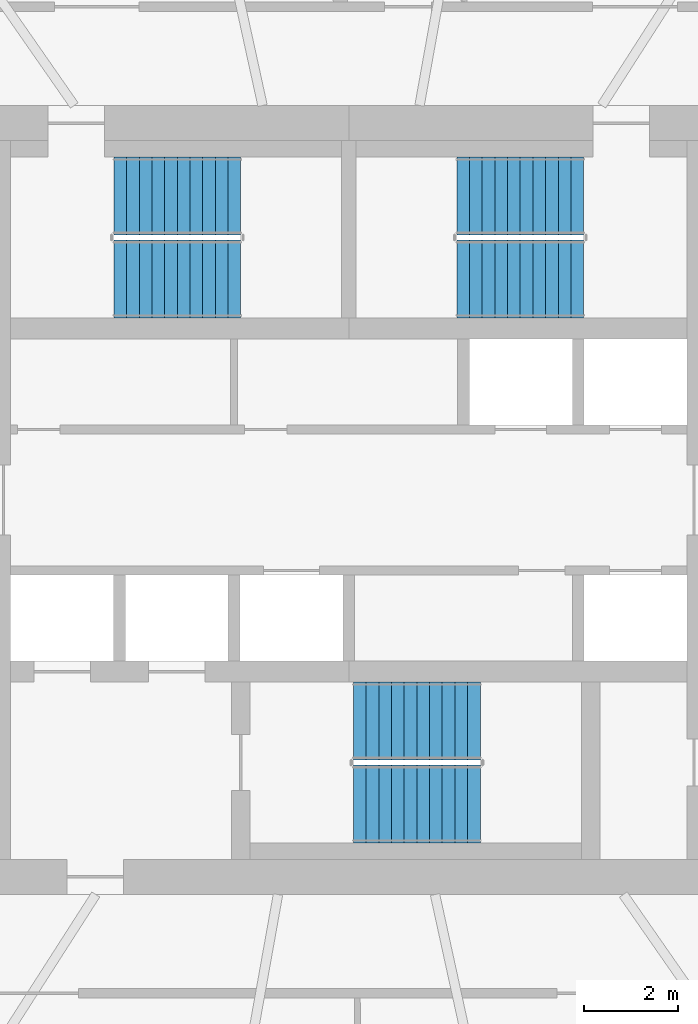
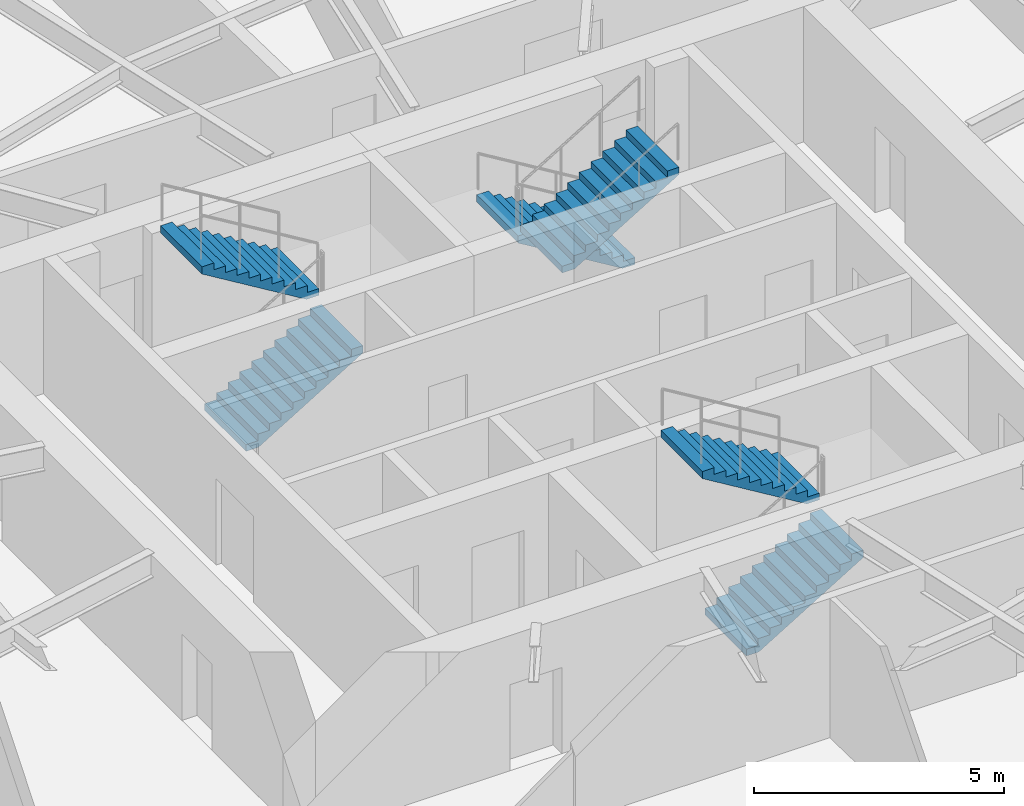
# One storey, part 11 of 14: 6 stair flights, 3 elements without a shape of their own.
"""IFC4 building model written with IfcOpenShell, lengths in metres."""

from ifc_helpers import new_model, si_unit, direction, frame, origin, place, context, subcontext, project, spatial, polyline, outline, extrude, material, type_object, element, aggregate, save


model = new_model("IFC4")

# Units and contexts
model_context = context("Model", 3, precision=1e-05, world=origin(), true_north=direction((0.0, 1.0)))
body_context = subcontext(model_context, "Body", "Model", "MODEL_VIEW")
ifc_project = project(units=[si_unit("LENGTHUNIT", "METRE"), si_unit("AREAUNIT", "SQUARE_METRE"), si_unit("VOLUMEUNIT", "CUBIC_METRE"), si_unit("PLANEANGLEUNIT", "RADIAN"), si_unit("MASSUNIT", "GRAM", prefix="KILO")], contexts=[model_context])

# Site, building, storey
site_placement = place(None, origin())
site = spatial("IfcSite", under=ifc_project, at=site_placement, CompositionType="ELEMENT")
building_placement = place(site_placement, origin())
building = spatial("IfcBuilding", under=site, at=building_placement, Name="Vermilion Reach Broadcast Tower", CompositionType="ELEMENT")
storey_placement = place(building_placement, frame((0.0, 0.0, 238.89990234375)))
storey = spatial("IfcBuildingStorey", under=building, at=storey_placement, Name="L59", CompositionType="ELEMENT", Elevation=238.89990234375)

# Stair, stair flights
ifc_material_1 = material(Name="Concrete C40", Category="concrete")
stair_type = type_object("IfcStairType", Name="Exit stair RC 22 risers 164 mm", PredefinedType="HALF_TURN_STAIR", material=ifc_material_1)
placement = place(storey_placement, origin())
stair_1 = element("IfcStair", 1, at=placement, inside=storey, type_object=stair_type, Name="L59 Exit stair ST1", PredefinedType="HALF_TURN_STAIR")
ifc_material_2 = material(Name="Concrete C40", Category="concrete")
stair_flight_type = type_object("IfcStairFlightType", Name="Exit stair flight RC 11 risers", PredefinedType="STRAIGHT", material=ifc_material_2)
stair_flight_1_placement = place(storey_placement, frame((-11.0, 4.7099609375, 0.0), z_axis=(0.0, 0.0, 1.0), x_axis=(1.0, 0.0, 0.0)))
stair_flight_1 = element("IfcStairFlight", 2, at=stair_flight_1_placement, type_object=stair_flight_type, Name="ST1 flight 1", NumberOfRisers=11, NumberOfTreads=10, PredefinedType="STRAIGHT", RiserHeight=0.163636364, TreadLength=0.27, context=body_context, shape_type="SweptSolid", body=[
    extrude(outline(polyline([(0.0, 0.0), (0.0, 0.16357421875), (0.27001953125, 0.16357421875), (0.27001953125, 0.327392578125), (0.5400390625, 0.327392578125), (0.5400390625, 0.490966796875), (0.81005859375, 0.490966796875), (0.81005859375, 0.654541015625), (1.080078125, 0.654541015625), (1.080078125, 0.818115234375), (1.35009765625, 0.818115234375), (1.35009765625, 0.98193359375), (1.6201171875, 0.98193359375), (1.6201171875, 1.1455078125), (1.889892578125, 1.1455078125), (1.889892578125, 1.30908203125), (2.159912109375, 1.30908203125), (2.159912109375, 1.47265625), (2.429931640625, 1.47265625), (2.429931640625, 1.636474609375), (2.699951171875, 1.636474609375), (2.699951171875, 1.800048828125), (2.699951171875, 1.461181640625), (0.289306640625, 0.0), (0.0, 0.0)])), frame((0.0, 0.830078125, 0.0), z_axis=(0.0, -1.0, 0.0), x_axis=(1.0, 0.0, 0.0)), (0.0, 0.0, 1.0), 1.659912109375),
])
stair_flight_2_placement = place(storey_placement, frame((-8.300048828125, 6.469970703125, 1.800048828125), z_axis=(0.0, 0.0, 1.0), x_axis=(-1.0, 0.0, 0.0)))
stair_flight_2 = element("IfcStairFlight", 3, at=stair_flight_2_placement, type_object=stair_flight_type, Name="ST1 flight 2", NumberOfRisers=11, NumberOfTreads=10, PredefinedType="STRAIGHT", RiserHeight=0.163636364, TreadLength=0.27, context=body_context, shape_type="SweptSolid", body=[
    extrude(outline(polyline([(0.0, 0.0), (0.0, 0.16357421875), (0.27001953125, 0.16357421875), (0.27001953125, 0.327392578125), (0.5400390625, 0.327392578125), (0.5400390625, 0.490966796875), (0.81005859375, 0.490966796875), (0.81005859375, 0.654541015625), (1.080078125, 0.654541015625), (1.080078125, 0.818115234375), (1.35009765625, 0.818115234375), (1.35009765625, 0.98193359375), (1.6201171875, 0.98193359375), (1.6201171875, 1.1455078125), (1.889892578125, 1.1455078125), (1.889892578125, 1.30908203125), (2.159912109375, 1.30908203125), (2.159912109375, 1.47265625), (2.429931640625, 1.47265625), (2.429931640625, 1.636474609375), (2.699951171875, 1.636474609375), (2.699951171875, 1.800048828125), (2.699951171875, 1.461181640625), (0.289306640625, 0.0), (0.0, 0.0)])), frame((0.0, 0.830078125, 0.0), z_axis=(0.0, -1.0, 0.0), x_axis=(1.0, 0.0, 0.0)), (0.0, 0.0, 1.0), 1.659912109375),
])
aggregate(stair_1, [stair_flight_1, stair_flight_2])

stair_2 = element("IfcStair", 4, at=placement, inside=storey, type_object=stair_type, Name="L59 Exit stair ST2", PredefinedType="HALF_TURN_STAIR")
stair_flight_3_placement = place(storey_placement, frame((-1.0, 6.469970703125, 0.0), z_axis=(0.0, 0.0, 1.0), x_axis=(-1.0, 0.0, 0.0)))
stair_flight_3 = element("IfcStairFlight", 5, at=stair_flight_3_placement, type_object=stair_flight_type, Name="ST2 flight 1", NumberOfRisers=11, NumberOfTreads=10, PredefinedType="STRAIGHT", RiserHeight=0.163636364, TreadLength=0.27, context=body_context, shape_type="SweptSolid", body=[
    extrude(outline(polyline([(0.0, 0.0), (0.0, 0.16357421875), (0.27001953125, 0.16357421875), (0.27001953125, 0.327392578125), (0.5400390625, 0.327392578125), (0.5400390625, 0.490966796875), (0.81005859375, 0.490966796875), (0.81005859375, 0.654541015625), (1.080078125, 0.654541015625), (1.080078125, 0.818115234375), (1.35009765625, 0.818115234375), (1.35009765625, 0.98193359375), (1.6201171875, 0.98193359375), (1.6201171875, 1.1455078125), (1.889892578125, 1.1455078125), (1.889892578125, 1.30908203125), (2.159912109375, 1.30908203125), (2.159912109375, 1.47265625), (2.429931640625, 1.47265625), (2.429931640625, 1.636474609375), (2.699951171875, 1.636474609375), (2.699951171875, 1.800048828125), (2.699951171875, 1.461181640625), (0.289306640625, 0.0), (0.0, 0.0)])), frame((0.0, 0.830078125, 0.0), z_axis=(0.0, -1.0, 0.0), x_axis=(1.0, 0.0, 0.0)), (0.0, 0.0, 1.0), 1.659912109375),
])
stair_flight_4_placement = place(storey_placement, frame((-3.699951171875, 4.7099609375, 1.800048828125), z_axis=(0.0, 0.0, 1.0), x_axis=(1.0, 0.0, 0.0)))
stair_flight_4 = element("IfcStairFlight", 6, at=stair_flight_4_placement, type_object=stair_flight_type, Name="ST2 flight 2", NumberOfRisers=11, NumberOfTreads=10, PredefinedType="STRAIGHT", RiserHeight=0.163636364, TreadLength=0.27, context=body_context, shape_type="SweptSolid", body=[
    extrude(outline(polyline([(0.0, 0.0), (0.0, 0.16357421875), (0.27001953125, 0.16357421875), (0.27001953125, 0.327392578125), (0.5400390625, 0.327392578125), (0.5400390625, 0.490966796875), (0.81005859375, 0.490966796875), (0.81005859375, 0.654541015625), (1.080078125, 0.654541015625), (1.080078125, 0.818115234375), (1.35009765625, 0.818115234375), (1.35009765625, 0.98193359375), (1.6201171875, 0.98193359375), (1.6201171875, 1.1455078125), (1.889892578125, 1.1455078125), (1.889892578125, 1.30908203125), (2.159912109375, 1.30908203125), (2.159912109375, 1.47265625), (2.429931640625, 1.47265625), (2.429931640625, 1.636474609375), (2.699951171875, 1.636474609375), (2.699951171875, 1.800048828125), (2.699951171875, 1.461181640625), (0.289306640625, 0.0), (0.0, 0.0)])), frame((0.0, 0.830078125, 0.0), z_axis=(0.0, -1.0, 0.0), x_axis=(1.0, 0.0, 0.0)), (0.0, 0.0, 1.0), 1.659912109375),
])
aggregate(stair_2, [stair_flight_3, stair_flight_4])

stair_3 = element("IfcStair", 7, at=placement, inside=storey, type_object=stair_type, Name="L59 Exit stair ST3", PredefinedType="HALF_TURN_STAIR")
stair_flight_5_placement = place(storey_placement, frame((-5.89990234375, -6.469970703125, 0.0), z_axis=(0.0, 0.0, 1.0), x_axis=(1.0, 0.0, 0.0)))
stair_flight_5 = element("IfcStairFlight", 8, at=stair_flight_5_placement, type_object=stair_flight_type, Name="ST3 flight 1", NumberOfRisers=11, NumberOfTreads=10, PredefinedType="STRAIGHT", RiserHeight=0.163636364, TreadLength=0.27, context=body_context, shape_type="SweptSolid", body=[
    extrude(outline(polyline([(0.0, 0.0), (0.0, 0.16357421875), (0.27001953125, 0.16357421875), (0.27001953125, 0.327392578125), (0.5400390625, 0.327392578125), (0.5400390625, 0.490966796875), (0.81005859375, 0.490966796875), (0.81005859375, 0.654541015625), (1.080078125, 0.654541015625), (1.080078125, 0.818115234375), (1.35009765625, 0.818115234375), (1.35009765625, 0.98193359375), (1.6201171875, 0.98193359375), (1.6201171875, 1.1455078125), (1.889892578125, 1.1455078125), (1.889892578125, 1.30908203125), (2.159912109375, 1.30908203125), (2.159912109375, 1.47265625), (2.429931640625, 1.47265625), (2.429931640625, 1.636474609375), (2.699951171875, 1.636474609375), (2.699951171875, 1.800048828125), (2.699951171875, 1.461181640625), (0.289306640625, 0.0), (0.0, 0.0)])), frame((0.0, 0.830078125, 0.0), z_axis=(0.0, -1.0, 0.0), x_axis=(1.0, 0.0, 0.0)), (0.0, 0.0, 1.0), 1.659912109375),
])
stair_flight_6_placement = place(storey_placement, frame((-3.199951171875, -4.7099609375, 1.800048828125), z_axis=(0.0, 0.0, 1.0), x_axis=(-1.0, 0.0, 0.0)))
stair_flight_6 = element("IfcStairFlight", 9, at=stair_flight_6_placement, type_object=stair_flight_type, Name="ST3 flight 2", NumberOfRisers=11, NumberOfTreads=10, PredefinedType="STRAIGHT", RiserHeight=0.163636364, TreadLength=0.27, context=body_context, shape_type="SweptSolid", body=[
    extrude(outline(polyline([(0.0, 0.0), (0.0, 0.16357421875), (0.27001953125, 0.16357421875), (0.27001953125, 0.327392578125), (0.5400390625, 0.327392578125), (0.5400390625, 0.490966796875), (0.81005859375, 0.490966796875), (0.81005859375, 0.654541015625), (1.080078125, 0.654541015625), (1.080078125, 0.818115234375), (1.35009765625, 0.818115234375), (1.35009765625, 0.98193359375), (1.6201171875, 0.98193359375), (1.6201171875, 1.1455078125), (1.889892578125, 1.1455078125), (1.889892578125, 1.30908203125), (2.159912109375, 1.30908203125), (2.159912109375, 1.47265625), (2.429931640625, 1.47265625), (2.429931640625, 1.636474609375), (2.699951171875, 1.636474609375), (2.699951171875, 1.800048828125), (2.699951171875, 1.461181640625), (0.289306640625, 0.0), (0.0, 0.0)])), frame((0.0, 0.830078125, 0.0), z_axis=(0.0, -1.0, 0.0), x_axis=(1.0, 0.0, 0.0)), (0.0, 0.0, 1.0), 1.659912109375),
])
aggregate(stair_3, [stair_flight_5, stair_flight_6])

save(model, "model.ifc")
